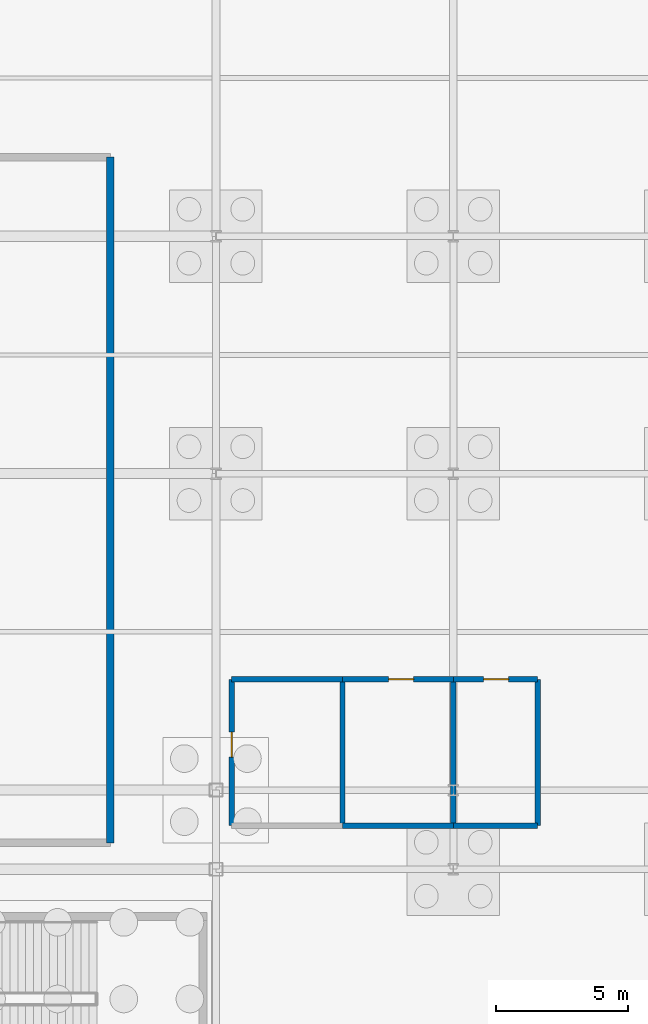
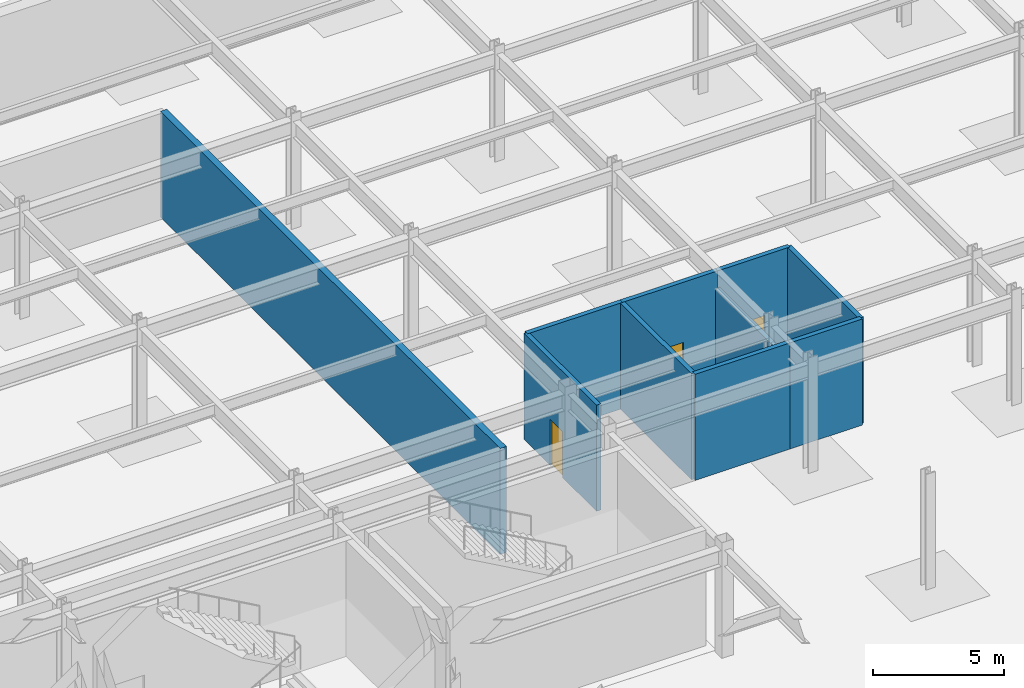
# One storey, part 35 of 47: 10 walls, 3 doors, 3 openings.
"""IFC4 building model written with IfcOpenShell, lengths in metres."""

from ifc_helpers import new_model, si_unit, direction, frame, frame_2d, origin, place, context, subcontext, project, spatial, rectangle, extrude, material, layer, layer_set, type_object, element, fill, save


model = new_model("IFC4")

# Units and contexts
model_context = context("Model", 3, precision=1e-05, world=origin(), true_north=direction((0.0, 1.0)))
body_context = subcontext(model_context, "Body", "Model", "MODEL_VIEW")
ifc_project = project(units=[si_unit("LENGTHUNIT", "METRE"), si_unit("AREAUNIT", "SQUARE_METRE"), si_unit("VOLUMEUNIT", "CUBIC_METRE"), si_unit("PLANEANGLEUNIT", "RADIAN"), si_unit("MASSUNIT", "GRAM", prefix="KILO")], contexts=[model_context])

# Site, building, storey
site_placement = place(None, origin())
site = spatial("IfcSite", under=ifc_project, at=site_placement, CompositionType="ELEMENT")
building_placement = place(site_placement, origin())
building = spatial("IfcBuilding", under=site, at=building_placement, Name="Kaldorvane Square Convention Centre", CompositionType="ELEMENT")
storey_placement = place(building_placement, frame((0.0, 0.0, -5.399993896484375)))
storey = spatial("IfcBuildingStorey", under=building, at=storey_placement, Name="B01", CompositionType="ELEMENT", Elevation=-5.399993896484375)

# Walls
ifc_material_1 = material(Name="Reinforced Concrete Masonry Acoustic Partition", Category="masonry")
ifc_layer_1 = layer(ifc_material_1, 0.279998779296875)
ifc_layer_set_1 = layer_set([ifc_layer_1], Name="Reinforced Concrete Masonry Acoustic Partition")
wall_type_1 = type_object("IfcWallType", Name="WL-ACO-280", PredefinedType="PARTITIONING", material=ifc_layer_set_1)
wall_1_placement = place(storey_placement, frame((134.0, 82.0, 0.0), z_axis=(0.0, 0.0, 1.0), x_axis=(0.0, 1.0, 0.0)))
element("IfcWall", 1, at=wall_1_placement, inside=storey, type_object=wall_type_1, Name="Building Automation and Telecom MDF Room E Wall", PredefinedType="PARTITIONING", context=body_context, shape_type="SweptSolid", body=[
    extrude(rectangle(XDim=26.0, YDim=0.279998779296875, at=frame_2d((13.0, 0.0))), origin(), (0.0, 0.0, 1.0), 4.959991455078125),
])
ifc_material_2 = material(Name="Fire-Rated Gypsum Board on Acoustic Steel Studs", Category="steel")
ifc_layer_2 = layer(ifc_material_2, 0.1999969482421875)
ifc_layer_set_2 = layer_set([ifc_layer_2], Name="Fire-Rated Gypsum Board on Acoustic Steel Studs")
wall_type_2 = type_object("IfcWallType", Name="WL-CORR-200", PredefinedType="PARTITIONING", material=ifc_layer_set_2)
wall_2_placement = place(storey_placement, frame((142.8000030517578, 82.64999389648438, 0.0), z_axis=(0.0, 0.0, 1.0), x_axis=(0.0, 1.0, 0.0)))
element("IfcWall", 2, at=wall_2_placement, inside=storey, type_object=wall_type_2, Name="East Concourse Men's Restroom (B01) E Wall", PredefinedType="PARTITIONING", context=body_context, shape_type="SweptSolid", body=[
    extrude(rectangle(XDim=5.5500030517578125, YDim=0.1999969482421875, at=frame_2d((2.774993896484375, 0.0))), origin(), (0.0, 0.0, 1.0), 4.959991455078125),
])
wall_3_placement = place(storey_placement, frame((142.8000030517578, 88.19999694824219, 0.0), z_axis=(0.0, 0.0, 1.0), x_axis=(-1.0, 0.0, 0.0)))
element("IfcWall", 3, at=wall_3_placement, inside=storey, type_object=wall_type_2, Name="East Concourse Men's Restroom (B01) N Wall", PredefinedType="PARTITIONING", context=body_context, shape_type="SweptSolid", body=[
    extrude(rectangle(XDim=4.1999969482421875, YDim=0.1999969482421875, at=frame_2d((2.100006103515625, 0.0))), origin(), (0.0, 0.0, 1.0), 4.959991455078125),
])

# Wall, opening, door
wall_4_placement = place(storey_placement, frame((138.60000610351562, 88.19999694824219, 0.0), z_axis=(0.0, 0.0, 1.0), x_axis=(0.0, -1.0, 0.0)))
wall_4 = element("IfcWall", 4, at=wall_4_placement, inside=storey, type_object=wall_type_2, Name="East Concourse Men's Restroom (B01) W Wall", PredefinedType="PARTITIONING", context=body_context, shape_type="SweptSolid", body=[
    extrude(rectangle(XDim=5.5500030517578125, YDim=0.1999969482421875, at=frame_2d((2.774993896484375, 0.0))), origin(), (0.0, 0.0, 1.0), 4.959991455078125),
])
opening_1_placement = place(wall_4_placement, frame((2.0, 0.0, 0.0)))
opening_1 = element("IfcOpeningElement", 5, at=opening_1_placement, cuts=wall_4, Name="Opening ID-13", PredefinedType="OPENING", context=body_context, shape_type="SweptSolid", body=[
    extrude(rectangle(XDim=0.9499969482421875, YDim=2.149993896484375, at=frame_2d((0.475006103515625, 1.0749969482421875))), frame((0.0, 0.114990234375, 0.0), z_axis=(0.0, -1.0, 0.0), x_axis=(1.0, 0.0, 0.0)), (0.0, 0.0, 1.0), 0.2299957275390625),
])
ifc_material_3 = material(Name="Architectural Solid-Core White Oak")
door_type = type_object("IfcDoorType", Name="DR-WC-0950X2150", OperationType="SINGLE_SWING_LEFT", PredefinedType="DOOR", material=ifc_material_3)
door_1_placement = place(opening_1_placement, origin())
door_1 = element("IfcDoor", 6, at=door_1_placement, inside=storey, type_object=door_type, Name="East Concourse Men's Restroom (B01) Door 1", OperationType="SINGLE_SWING_LEFT", OverallHeight=2.149993896484375, OverallWidth=0.9499969482421875, PredefinedType="DOOR", context=body_context, shape_type="SweptSolid", body=[
    extrude(rectangle(XDim=0.9499969482421875, YDim=2.149993896484375, at=frame_2d((0.475006103515625, 1.0749969482421875))), frame((0.0, 0.024993896484375, 0.0), z_axis=(0.0, -1.0, 0.0), x_axis=(1.0, 0.0, 0.0)), (0.0, 0.0, 1.0), 0.0500030517578125),
])
fill(opening_1, door_1)

# Walls
wall_5_placement = place(storey_placement, frame((142.8000030517578, 82.64999389648438, 0.0), z_axis=(0.0, 0.0, 1.0), x_axis=(1.0, 0.0, 0.0)))
element("IfcWall", 7, at=wall_5_placement, inside=storey, type_object=wall_type_2, Name="East Concourse Women's Restroom (B01) S Wall", PredefinedType="PARTITIONING", context=body_context, shape_type="SweptSolid", body=[
    extrude(rectangle(XDim=4.1999969482421875, YDim=0.1999969482421875, at=frame_2d((2.100006103515625, 0.0))), origin(), (0.0, 0.0, 1.0), 4.959991455078125),
])
wall_6_placement = place(storey_placement, frame((147.0, 82.64999389648438, 0.0), z_axis=(0.0, 0.0, 1.0), x_axis=(0.0, 1.0, 0.0)))
element("IfcWall", 8, at=wall_6_placement, inside=storey, type_object=wall_type_2, Name="East Concourse Women's Restroom (B01) E Wall", PredefinedType="PARTITIONING", context=body_context, shape_type="SweptSolid", body=[
    extrude(rectangle(XDim=5.5500030517578125, YDim=0.1999969482421875, at=frame_2d((2.774993896484375, 0.0))), origin(), (0.0, 0.0, 1.0), 4.1699981689453125),
])

# Wall, opening, door
wall_7_placement = place(storey_placement, frame((147.0, 88.19999694824219, 0.0), z_axis=(0.0, 0.0, 1.0), x_axis=(-1.0, 0.0, 0.0)))
wall_7 = element("IfcWall", 9, at=wall_7_placement, inside=storey, type_object=wall_type_2, Name="East Concourse Women's Restroom (B01) N Wall", PredefinedType="PARTITIONING", context=body_context, shape_type="SweptSolid", body=[
    extrude(rectangle(XDim=4.1999969482421875, YDim=0.1999969482421875, at=frame_2d((2.100006103515625, 0.0))), origin(), (0.0, 0.0, 1.0), 4.959991455078125),
])
opening_2_placement = place(wall_7_placement, frame((1.5, 0.0, 0.0)))
opening_2 = element("IfcOpeningElement", 10, at=opening_2_placement, cuts=wall_7, Name="Opening ID-13", PredefinedType="OPENING", context=body_context, shape_type="SweptSolid", body=[
    extrude(rectangle(XDim=0.9499969482421875, YDim=2.149993896484375, at=frame_2d((0.475006103515625, 1.0749969482421875))), frame((0.0, 0.114990234375, 0.0), z_axis=(0.0, -1.0, 0.0), x_axis=(1.0, 0.0, 0.0)), (0.0, 0.0, 1.0), 0.2299957275390625),
])
door_2_placement = place(opening_2_placement, origin())
door_2 = element("IfcDoor", 11, at=door_2_placement, inside=storey, type_object=door_type, Name="East Concourse Women's Restroom (B01) Door 1", OperationType="SINGLE_SWING_LEFT", OverallHeight=2.149993896484375, OverallWidth=0.9499969482421875, PredefinedType="DOOR", context=body_context, shape_type="SweptSolid", body=[
    extrude(rectangle(XDim=0.9499969482421875, YDim=2.149993896484375, at=frame_2d((0.475006103515625, 1.0749969482421875))), frame((0.0, 0.024993896484375, 0.0), z_axis=(0.0, -1.0, 0.0), x_axis=(1.0, 0.0, 0.0)), (0.0, 0.0, 1.0), 0.0500030517578125),
])
fill(opening_2, door_2)

# Walls
wall_8_placement = place(storey_placement, frame((147.0, 82.64999389648438, 0.0), z_axis=(0.0, 0.0, 1.0), x_axis=(1.0, 0.0, 0.0)))
element("IfcWall", 12, at=wall_8_placement, inside=storey, type_object=wall_type_2, Name="East Concourse Accessible Restroom (B01) S Wall", PredefinedType="PARTITIONING", context=body_context, shape_type="SweptSolid", body=[
    extrude(rectangle(XDim=3.1999969482421875, YDim=0.1999969482421875, at=frame_2d((1.600006103515625, 0.0))), origin(), (0.0, 0.0, 1.0), 4.959991455078125),
])
wall_9_placement = place(storey_placement, frame((150.1999969482422, 82.64999389648438, 0.0), z_axis=(0.0, 0.0, 1.0), x_axis=(0.0, 1.0, 0.0)))
element("IfcWall", 13, at=wall_9_placement, inside=storey, type_object=wall_type_2, Name="East Concourse Accessible Restroom (B01) E Wall", PredefinedType="PARTITIONING", context=body_context, shape_type="SweptSolid", body=[
    extrude(rectangle(XDim=5.5500030517578125, YDim=0.1999969482421875, at=frame_2d((2.774993896484375, 0.0))), origin(), (0.0, 0.0, 1.0), 4.959991455078125),
])

# Wall, opening, door
wall_10_placement = place(storey_placement, frame((150.1999969482422, 88.19999694824219, 0.0), z_axis=(0.0, 0.0, 1.0), x_axis=(-1.0, 0.0, 0.0)))
wall_10 = element("IfcWall", 14, at=wall_10_placement, inside=storey, type_object=wall_type_2, Name="East Concourse Accessible Restroom (B01) N Wall", PredefinedType="PARTITIONING", context=body_context, shape_type="SweptSolid", body=[
    extrude(rectangle(XDim=3.1999969482421875, YDim=0.1999969482421875, at=frame_2d((1.600006103515625, 0.0))), origin(), (0.0, 0.0, 1.0), 4.959991455078125),
])
opening_3_placement = place(wall_10_placement, frame((1.100006103515625, 0.0, 0.0)))
opening_3 = element("IfcOpeningElement", 15, at=opening_3_placement, cuts=wall_10, Name="Opening ID-13", PredefinedType="OPENING", context=body_context, shape_type="SweptSolid", body=[
    extrude(rectangle(XDim=0.9499969482421875, YDim=2.149993896484375, at=frame_2d((0.475006103515625, 1.0749969482421875))), frame((0.0, 0.114990234375, 0.0), z_axis=(0.0, -1.0, 0.0), x_axis=(1.0, 0.0, 0.0)), (0.0, 0.0, 1.0), 0.2299957275390625),
])
door_3_placement = place(opening_3_placement, origin())
door_3 = element("IfcDoor", 16, at=door_3_placement, inside=storey, type_object=door_type, Name="East Concourse Accessible Restroom (B01) Door 1", OperationType="SINGLE_SWING_LEFT", OverallHeight=2.149993896484375, OverallWidth=0.9499969482421875, PredefinedType="DOOR", context=body_context, shape_type="SweptSolid", body=[
    extrude(rectangle(XDim=0.9499969482421875, YDim=2.149993896484375, at=frame_2d((0.475006103515625, 1.0749969482421875))), frame((0.0, 0.024993896484375, 0.0), z_axis=(0.0, -1.0, 0.0), x_axis=(1.0, 0.0, 0.0)), (0.0, 0.0, 1.0), 0.0500030517578125),
])
fill(opening_3, door_3)

save(model, "model.ifc")
